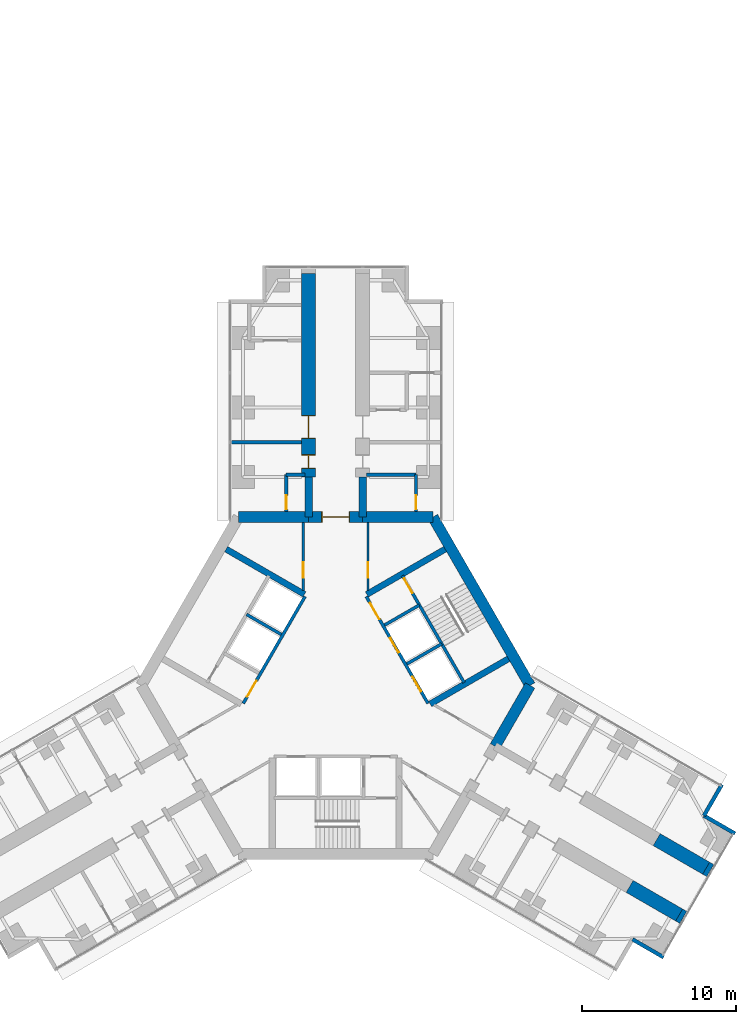
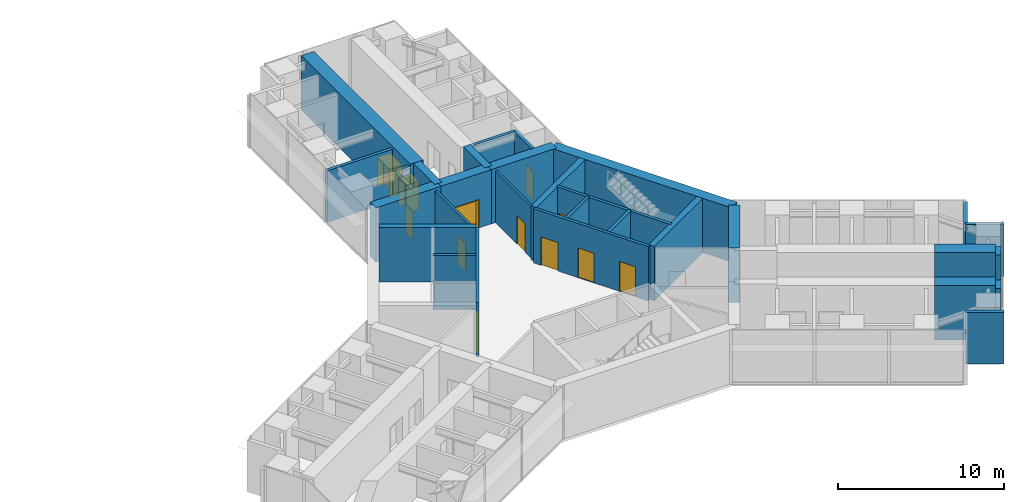
# One storey, part 20 of 22: 31 walls, 12 doors, 12 openings.
"""IFC4 building model written with IfcOpenShell, lengths in metres."""

from ifc_helpers import new_model, si_unit, direction, frame, frame_2d, origin, place, context, subcontext, project, spatial, rectangle, extrude, material, layer, layer_set, type_object, element, fill, save


model = new_model("IFC4")

# Units and contexts
model_context = context("Model", 3, precision=1e-05, world=origin(), true_north=direction((0.0, 1.0)))
body_context = subcontext(model_context, "Body", "Model", "MODEL_VIEW")
ifc_project = project(units=[si_unit("LENGTHUNIT", "METRE"), si_unit("AREAUNIT", "SQUARE_METRE"), si_unit("VOLUMEUNIT", "CUBIC_METRE"), si_unit("PLANEANGLEUNIT", "RADIAN"), si_unit("MASSUNIT", "GRAM", prefix="KILO")], contexts=[model_context])

# Site, building, storey
site_placement = place(None, origin())
site = spatial("IfcSite", under=ifc_project, at=site_placement, CompositionType="ELEMENT")
building_placement = place(site_placement, origin())
building = spatial("IfcBuilding", under=site, at=building_placement, Name="Upepo Twin Towers", CompositionType="ELEMENT")
storey_placement = place(building_placement, frame((0.0, 0.0, 40.5)))
storey = spatial("IfcBuildingStorey", under=building, at=storey_placement, Name="L09", CompositionType="ELEMENT", Elevation=40.5)

# Wall
ifc_material_1 = material(Name="Concrete blockwork, plastered both faces", Category="masonry")
ifc_layer_1 = layer(ifc_material_1, 0.215087890625)
ifc_layer_set_1 = layer_set([ifc_layer_1], Name="Blockwork partition 215")
wall_type_1 = type_object("IfcWallType", Name="Blockwork partition 215", PredefinedType="PARTITIONING", material=ifc_layer_set_1)
wall_1_placement = place(storey_placement, frame((56.300048828125, -2.25, 0.0), z_axis=(0.0, 0.0, 1.0), x_axis=(-1.0, 0.0, 0.0)))
element("IfcWall", 1, at=wall_1_placement, inside=storey, type_object=wall_type_1, Name="T2 partition AL at 15.75", PredefinedType="PARTITIONING", context=body_context, shape_type="SweptSolid", body=[
    extrude(rectangle(XDim=4.550048828125, YDim=0.215087890625, at=frame_2d((2.27490234375, 0.0))), origin(), (0.0, 0.0, 1.0), 3.800048828125),
])

# Wall, opening, door
wall_2_placement = place(storey_placement, frame((55.300048828125, -6.741943359375, 0.0), z_axis=(0.0, 0.0, 1.0), x_axis=(0.0, 1.0, 0.0)))
wall_2 = element("IfcWall", 2, at=wall_2_placement, inside=storey, type_object=wall_type_1, Name="T2 WC bay partition AL at 11.26", PredefinedType="PARTITIONING", context=body_context, shape_type="SweptSolid", body=[
    extrude(rectangle(XDim=2.39990234375, YDim=0.215087890625, at=frame_2d((1.199951171875, 0.0))), origin(), (0.0, 0.0, 1.0), 3.800048828125),
])
opening_1_placement = place(wall_2_placement, frame((0.14990234375, 0.0, 0.0)))
opening_1 = element("IfcOpeningElement", 3, at=opening_1_placement, cuts=wall_2, Name="Opening D14", PredefinedType="OPENING", context=body_context, shape_type="SweptSolid", body=[
    extrude(rectangle(XDim=0.89990234375, YDim=2.10009765625, at=frame_2d((0.449951171875, 1.050048828125))), frame((0.0, 0.117431640625, 0.0), z_axis=(0.0, -1.0, 0.0), x_axis=(1.0, 0.0, 0.0)), (0.0, 0.0, 1.0), 0.235107421875),
])
ifc_material_2 = material(Name="Timber doorset", Category="wood")
door_type_1 = type_object("IfcDoorType", Name="Office door 900 FD30", OperationType="SINGLE_SWING_LEFT", PredefinedType="DOOR", material=ifc_material_2)
door_1_placement = place(opening_1_placement, origin())
door_1 = element("IfcDoor", 4, at=door_1_placement, inside=storey, type_object=door_type_1, Name="T2 L09 WC bay inner room door", OperationType="SINGLE_SWING_LEFT", OverallHeight=2.10009765625, OverallWidth=0.89990234375, PredefinedType="DOOR", context=body_context, shape_type="SweptSolid", body=[
    extrude(rectangle(XDim=0.89990234375, YDim=2.10009765625, at=frame_2d((0.449951171875, 1.050048828125))), frame((0.0, 0.02490234375, 0.0), z_axis=(0.0, -1.0, 0.0), x_axis=(1.0, 0.0, 0.0)), (0.0, 0.0, 1.0), 0.050048828125),
])
fill(opening_1, door_1)

# Wall
wall_3_placement = place(storey_placement, frame((56.5, -4.342041015625, 0.0), z_axis=(0.0, 0.0, 1.0), x_axis=(-1.0, 0.0, 0.0)))
element("IfcWall", 5, at=wall_3_placement, inside=storey, type_object=wall_type_1, Name="T2 WC bay partition AL end at 13.66", PredefinedType="PARTITIONING", context=body_context, shape_type="SweptSolid", body=[
    extrude(rectangle(XDim=1.199951171875, YDim=0.215087890625, at=frame_2d((0.60009765625, 0.0))), origin(), (0.0, 0.0, 1.0), 3.800048828125),
])

# Wall, opening, door
wall_4_placement = place(storey_placement, frame((63.699951171875, -6.741943359375, 0.0), z_axis=(0.0, 0.0, 1.0), x_axis=(0.0, 1.0, 0.0)))
wall_4 = element("IfcWall", 6, at=wall_4_placement, inside=storey, type_object=wall_type_1, Name="T2 WC bay partition AR at 11.26", PredefinedType="PARTITIONING", context=body_context, shape_type="SweptSolid", body=[
    extrude(rectangle(XDim=2.39990234375, YDim=0.215087890625, at=frame_2d((1.199951171875, 0.0))), origin(), (0.0, 0.0, 1.0), 3.800048828125),
])
opening_2_placement = place(wall_4_placement, frame((0.14990234375, 0.0, 0.0)))
opening_2 = element("IfcOpeningElement", 7, at=opening_2_placement, cuts=wall_4, Name="Opening D14", PredefinedType="OPENING", context=body_context, shape_type="SweptSolid", body=[
    extrude(rectangle(XDim=0.89990234375, YDim=2.10009765625, at=frame_2d((0.449951171875, 1.050048828125))), frame((0.0, 0.117431640625, 0.0), z_axis=(0.0, -1.0, 0.0), x_axis=(1.0, 0.0, 0.0)), (0.0, 0.0, 1.0), 0.235107421875),
])
door_2_placement = place(opening_2_placement, origin())
door_2 = element("IfcDoor", 8, at=door_2_placement, inside=storey, type_object=door_type_1, Name="T2 L09 WC bay inner room door", OperationType="SINGLE_SWING_LEFT", OverallHeight=2.10009765625, OverallWidth=0.89990234375, PredefinedType="DOOR", context=body_context, shape_type="SweptSolid", body=[
    extrude(rectangle(XDim=0.89990234375, YDim=2.10009765625, at=frame_2d((0.449951171875, 1.050048828125))), frame((0.0, 0.02490234375, 0.0), z_axis=(0.0, -1.0, 0.0), x_axis=(1.0, 0.0, 0.0)), (0.0, 0.0, 1.0), 0.050048828125),
])
fill(opening_2, door_2)

# Walls
wall_5_placement = place(storey_placement, frame((60.5, -4.342041015625, 0.0), z_axis=(0.0, 0.0, 1.0), x_axis=(1.0, 0.0, 0.0)))
element("IfcWall", 9, at=wall_5_placement, inside=storey, type_object=wall_type_1, Name="T2 WC bay partition AR end at 13.66", PredefinedType="PARTITIONING", context=body_context, shape_type="SweptSolid", body=[
    extrude(rectangle(XDim=3.199951171875, YDim=0.215087890625, at=frame_2d((1.60009765625, 0.0))), origin(), (0.0, 0.0, 1.0), 3.800048828125),
])
ifc_material_3 = material(Name="Dense concrete blockwork", Category="masonry")
ifc_layer_2 = layer(ifc_material_3, 0.89990234375)
ifc_layer_set_2 = layer_set([ifc_layer_2], Name="Buttress closer 900, blockwork with fire-stopping to the curtain wall")
wall_type_2 = type_object("IfcWallType", Name="Buttress closer 900, blockwork with fire-stopping to the curtain wall", PredefinedType="PARTITIONING", material=ifc_layer_set_2)
for number, where, z_axis, x_axis, name in (
    (10, (82.497802734375, -29.83447265625, 0.0), (0.0, 0.0, 1.0), (0.866054481515, -0.499949632511, 0.0), "T2 L09 wing C buttress closer L"),
    (11, (80.747802734375, -32.865478515625, 0.0), (0.0, 0.0, 1.0), (0.866054481515, -0.499949632511, 0.0), "T2 L09 wing C buttress closer R"),
):
    element("IfcWall", number, at=place(storey_placement, frame(where, z_axis=z_axis, x_axis=x_axis)), inside=storey, type_object=wall_type_2, Name=name, PredefinedType="PARTITIONING", context=body_context, shape_type="SweptSolid", body=[
        extrude(rectangle(XDim=0.31005859375, YDim=0.89990234375, at=frame_2d((0.155029296875, 0.0))), origin(), (0.0, 0.0, 1.0), 3.800048828125),
    ])
ifc_material_4 = material(Name="Concrete C60/75", Category="concrete")
ifc_layer_3 = layer(ifc_material_4, 0.5)
ifc_layer_set_3 = layer_set([ifc_layer_3], Name="Concrete C60/75")
wall_type_3 = type_object("IfcWallType", Name="Buttress wall 500 RC", PredefinedType="SHEAR", material=ifc_layer_set_3)
for number, where, z_axis, x_axis, name in (
    (12, (56.75, -7.091552734375, 0.0), (0.0, 0.0, 1.0), (0.0, 1.0, 0.0), "T2 wing A buttress wall L"),
    (13, (60.25, -7.091552734375, 0.0), (0.0, 0.0, 1.0), (0.0, 1.0, 0.0), "T2 wing A buttress wall R"),
):
    element("IfcWall", number, at=place(storey_placement, frame(where, z_axis=z_axis, x_axis=x_axis)), inside=storey, type_object=wall_type_3, Name=name, PredefinedType="SHEAR", context=body_context, shape_type="SweptSolid", body=[
        extrude(rectangle(XDim=2.591552734375, YDim=0.5, at=frame_2d((1.2958984375, 0.0))), origin(), (0.0, 0.0, 1.0), 4.0),
    ])

# Wall, openings, doors
ifc_material_5 = material(Name="Concrete C60/75", Category="concrete")
ifc_layer_4 = layer(ifc_material_5, 0.89990234375)
ifc_layer_set_4 = layer_set([ifc_layer_4], Name="Concrete C60/75")
wall_type_4 = type_object("IfcWallType", Name="Buttress wall 900 RC", PredefinedType="SHEAR", material=ifc_layer_set_4)
wall_6_placement = place(storey_placement, frame((56.75, -4.5, 0.0), z_axis=(0.0, 0.0, 1.0), x_axis=(0.0, 1.0, 0.0)))
wall_6 = element("IfcWall", 14, at=wall_6_placement, inside=storey, type_object=wall_type_4, Name="T2 wing A buttress wall L part 2", PredefinedType="SHEAR", context=body_context, shape_type="SweptSolid", body=[
    extrude(rectangle(XDim=13.199951171875, YDim=0.89990234375, at=frame_2d((6.60009765625, 0.0))), origin(), (0.0, 0.0, 1.0), 4.0),
])
opening_3_placement = place(wall_6_placement, frame((0.550048828125, 0.0, 0.0)))
opening_3 = element("IfcOpeningElement", 15, at=opening_3_placement, cuts=wall_6, Name="Opening D11", PredefinedType="OPENING", context=body_context, shape_type="SweptSolid", body=[
    extrude(rectangle(XDim=0.89990234375, YDim=2.10009765625, at=frame_2d((0.449951171875, 1.050048828125))), frame((0.0, 0.4599609375, 0.0), z_axis=(0.0, -1.0, 0.0), x_axis=(1.0, 0.0, 0.0)), (0.0, 0.0, 1.0), 0.919921875),
])
opening_4_placement = place(wall_6_placement, frame((2.5, 0.0, 0.0)))
opening_4 = element("IfcOpeningElement", 16, at=opening_4_placement, cuts=wall_6, Name="Opening D13", PredefinedType="OPENING", context=body_context, shape_type="SweptSolid", body=[
    extrude(rectangle(XDim=1.5, YDim=2.10009765625, at=frame_2d((0.75, 1.050048828125))), frame((0.0, 0.4599609375, 0.0), z_axis=(0.0, -1.0, 0.0), x_axis=(1.0, 0.0, 0.0)), (0.0, 0.0, 1.0), 0.919921875),
])
ifc_material_6 = material(Name="Timber doorset", Category="wood")
door_type_2 = type_object("IfcDoorType", Name="Double door 1500 FD30", OperationType="DOUBLE_DOOR_SINGLE_SWING", PredefinedType="DOOR", material=ifc_material_6)
door_3_placement = place(opening_4_placement, origin())
door_3 = element("IfcDoor", 17, at=door_3_placement, inside=storey, type_object=door_type_2, Name="T2 L09 lecture room door", OperationType="DOUBLE_DOOR_SINGLE_SWING", OverallHeight=2.10009765625, OverallWidth=1.5, PredefinedType="DOOR", context=body_context, shape_type="SweptSolid", body=[
    extrude(rectangle(XDim=1.42, YDim=2.06009765625, at=frame_2d((0.75, 1.030029296875))), frame((0.0, 0.02490234375, 0.0), z_axis=(0.0, -1.0, 0.0), x_axis=(1.0, 0.0, 0.0)), (0.0, 0.0, 1.0), 0.050048828125),
    extrude(rectangle(XDim=0.04, YDim=2.10009765625, at=frame_2d((0.02001953125, 1.050048828125))), frame((0.0, 0.44970703125, 0.0), z_axis=(0.0, -1.0, 0.0), x_axis=(1.0, 0.0, 0.0)), (0.0, 0.0, 1.0), 0.8994140625),
    extrude(rectangle(XDim=0.04, YDim=2.10009765625, at=frame_2d((1.47998046875, 1.050048828125))), frame((0.0, 0.44970703125, 0.0), z_axis=(0.0, -1.0, 0.0), x_axis=(1.0, 0.0, 0.0)), (0.0, 0.0, 1.0), 0.8994140625),
    extrude(rectangle(XDim=1.42, YDim=0.04, at=frame_2d((0.75, 2.080078125))), frame((0.0, 0.44970703125, 0.0), z_axis=(0.0, -1.0, 0.0), x_axis=(1.0, 0.0, 0.0)), (0.0, 0.0, 1.0), 0.8994140625),
])
fill(opening_4, door_3)
ifc_material_7 = material(Name="Timber doorset", Category="wood")
door_type_3 = type_object("IfcDoorType", Name="Toilet door 900", OperationType="SINGLE_SWING_LEFT", PredefinedType="DOOR", material=ifc_material_7)
door_4_placement = place(opening_3_placement, origin())
door_4 = element("IfcDoor", 18, at=door_4_placement, inside=storey, type_object=door_type_3, Name="T2 L09 toilets door", OperationType="SINGLE_SWING_LEFT", OverallHeight=2.10009765625, OverallWidth=0.89990234375, PredefinedType="DOOR", context=body_context, shape_type="SweptSolid", body=[
    extrude(rectangle(XDim=0.81990234375, YDim=2.06009765625, at=frame_2d((0.449951171875, 1.030029296875))), frame((0.0, 0.02490234375, 0.0), z_axis=(0.0, -1.0, 0.0), x_axis=(1.0, 0.0, 0.0)), (0.0, 0.0, 1.0), 0.050048828125),
    extrude(rectangle(XDim=0.04, YDim=2.10009765625, at=frame_2d((0.02001953125, 1.050048828125))), frame((0.0, 0.44970703125, 0.0), z_axis=(0.0, -1.0, 0.0), x_axis=(1.0, 0.0, 0.0)), (0.0, 0.0, 1.0), 0.8994140625),
    extrude(rectangle(XDim=0.04, YDim=2.10009765625, at=frame_2d((0.8798828125, 1.050048828125))), frame((0.0, 0.44970703125, 0.0), z_axis=(0.0, -1.0, 0.0), x_axis=(1.0, 0.0, 0.0)), (0.0, 0.0, 1.0), 0.8994140625),
    extrude(rectangle(XDim=0.81990234375, YDim=0.04, at=frame_2d((0.449951171875, 2.080078125))), frame((0.0, 0.44970703125, 0.0), z_axis=(0.0, -1.0, 0.0), x_axis=(1.0, 0.0, 0.0)), (0.0, 0.0, 1.0), 0.8994140625),
])
fill(opening_3, door_4)

# Walls
wall_7_placement = place(storey_placement, frame((79.293701171875, -27.984375, 0.0), z_axis=(0.0, 0.0, 1.0), x_axis=(0.866000971088, -0.500042316284, 0.0)))
element("IfcWall", 19, at=wall_7_placement, inside=storey, type_object=wall_type_4, Name="T2 wing C buttress wall L part 3", PredefinedType="SHEAR", context=body_context, shape_type="SweptSolid", body=[
    extrude(rectangle(XDim=3.699951171875, YDim=0.89990234375, at=frame_2d((1.85009765625, 0.0))), origin(), (0.0, 0.0, 1.0), 4.0),
])
wall_8_placement = place(storey_placement, frame((77.543701171875, -31.015625, 0.0), z_axis=(0.0, 0.0, 1.0), x_axis=(0.866029545028, -0.499992827086, 0.0)))
element("IfcWall", 20, at=wall_8_placement, inside=storey, type_object=wall_type_4, Name="T2 wing C buttress wall R part 3", PredefinedType="SHEAR", context=body_context, shape_type="SweptSolid", body=[
    extrude(rectangle(XDim=3.69970703125, YDim=0.89990234375, at=frame_2d((1.849853515625, 0.0))), origin(), (0.0, 0.0, 1.0), 4.0),
])
ifc_material_8 = material(Name="Concrete C60/75", Category="concrete")
ifc_layer_5 = layer(ifc_material_8, 0.699951171875)
ifc_layer_set_5 = layer_set([ifc_layer_5], Name="Concrete C60/75")
wall_type_5 = type_object("IfcWallType", Name="Core wall 700 RC", PredefinedType="SHEAR", material=ifc_layer_set_5)
wall_9_placement = place(storey_placement, frame((64.7978515625, -7.091552734375, 0.0), z_axis=(0.0, 0.0, 1.0), x_axis=(-1.0, 0.0, 0.0)))
element("IfcWall", 21, at=wall_9_placement, inside=storey, type_object=wall_type_5, Name="T2 core wall 000 R", PredefinedType="SHEAR", context=body_context, shape_type="SweptSolid", body=[
    extrude(rectangle(XDim=4.5478515625, YDim=0.699951171875, at=frame_2d((2.27392578125, 0.0))), origin(), (0.0, 0.0, 1.0), 4.0),
])

# Wall, opening, door
wall_10_placement = place(storey_placement, frame((60.25, -7.091552734375, 0.0), z_axis=(0.0, 0.0, 1.0), x_axis=(-1.0, 0.0, 0.0)))
wall_10 = element("IfcWall", 22, at=wall_10_placement, inside=storey, type_object=wall_type_5, Name="T2 core wall 000", PredefinedType="SHEAR", context=body_context, shape_type="SweptSolid", body=[
    extrude(rectangle(XDim=3.5, YDim=0.699951171875, at=frame_2d((1.75, 0.0))), origin(), (0.0, 0.0, 1.0), 4.0),
])
opening_5_placement = place(wall_10_placement, frame((0.85009765625, 0.0, 0.0)))
opening_5 = element("IfcOpeningElement", 23, at=opening_5_placement, cuts=wall_10, Name="Opening D2", PredefinedType="OPENING", context=body_context, shape_type="SweptSolid", body=[
    extrude(rectangle(XDim=1.800048828125, YDim=2.10009765625, at=frame_2d((0.89990234375, 1.050048828125))), frame((0.0, 0.35986328125, 0.0), z_axis=(0.0, -1.0, 0.0), x_axis=(1.0, 0.0, 0.0)), (0.0, 0.0, 1.0), 0.719970703125),
])
ifc_material_9 = material(Name="Timber doorset", Category="wood")
door_type_4 = type_object("IfcDoorType", Name="Corridor double door 1800 FD60", OperationType="DOUBLE_DOOR_DOUBLE_SWING", PredefinedType="DOOR", material=ifc_material_9)
door_5_placement = place(opening_5_placement, origin())
door_5 = element("IfcDoor", 24, at=door_5_placement, inside=storey, type_object=door_type_4, Name="T2 L09 wing A corridor door", OperationType="DOUBLE_DOOR_DOUBLE_SWING", OverallHeight=2.10009765625, OverallWidth=1.800048828125, PredefinedType="DOOR", context=body_context, shape_type="SweptSolid", body=[
    extrude(rectangle(XDim=1.720048828125, YDim=2.06009765625, at=frame_2d((0.89990234375, 1.030029296875))), frame((0.0, 0.02490234375, 0.0), z_axis=(0.0, -1.0, 0.0), x_axis=(1.0, 0.0, 0.0)), (0.0, 0.0, 1.0), 0.050048828125),
    extrude(rectangle(XDim=0.04, YDim=2.10009765625, at=frame_2d((0.02001953125, 1.050048828125))), frame((0.0, 0.349609375, 0.0), z_axis=(0.0, -1.0, 0.0), x_axis=(1.0, 0.0, 0.0)), (0.0, 0.0, 1.0), 0.699462890625),
    extrude(rectangle(XDim=0.04, YDim=2.10009765625, at=frame_2d((1.780029296875, 1.050048828125))), frame((0.0, 0.349609375, 0.0), z_axis=(0.0, -1.0, 0.0), x_axis=(1.0, 0.0, 0.0)), (0.0, 0.0, 1.0), 0.699462890625),
    extrude(rectangle(XDim=1.720048828125, YDim=0.04, at=frame_2d((0.89990234375, 2.080078125))), frame((0.0, 0.349609375, 0.0), z_axis=(0.0, -1.0, 0.0), x_axis=(1.0, 0.0, 0.0)), (0.0, 0.0, 1.0), 0.699462890625),
])
fill(opening_5, door_5)

# Walls
wall_11_placement = place(storey_placement, frame((56.75, -7.091552734375, 0.0), z_axis=(0.0, 0.0, 1.0), x_axis=(-1.0, 0.0, 0.0)))
element("IfcWall", 25, at=wall_11_placement, inside=storey, type_object=wall_type_5, Name="T2 core wall 000 L", PredefinedType="SHEAR", context=body_context, shape_type="SweptSolid", body=[
    extrude(rectangle(XDim=4.5478515625, YDim=0.699951171875, at=frame_2d((2.27392578125, 0.0))), origin(), (0.0, 0.0, 1.0), 4.0),
])
wall_12_placement = place(storey_placement, frame((68.82177734375, -21.938720703125, 0.0), z_axis=(0.0, 0.0, 1.0), x_axis=(0.500024481964, 0.866011268655, 0.0)))
element("IfcWall", 26, at=wall_12_placement, inside=storey, type_object=wall_type_5, Name="T2 core wall 240 L", PredefinedType="SHEAR", context=body_context, shape_type="SweptSolid", body=[
    extrude(rectangle(XDim=4.548095703125, YDim=0.699951171875, at=frame_2d((2.27392578125, 0.0))), origin(), (0.0, 0.0, 1.0), 4.0),
])
wall_13_placement = place(storey_placement, frame((71.095947265625, -18.0, 0.0), z_axis=(0.0, 0.0, 1.0), x_axis=(-0.500005998175, 0.866021940709, 0.0)))
element("IfcWall", 27, at=wall_13_placement, inside=storey, type_object=wall_type_5, Name="T2 core wall 300", PredefinedType="SHEAR", context=body_context, shape_type="SweptSolid", body=[
    extrude(rectangle(XDim=12.595947265625, YDim=0.699951171875, at=frame_2d((6.2978515625, 0.0))), origin(), (0.0, 0.0, 1.0), 4.0),
])
ifc_material_10 = material(Name="Blockwork with anodised aluminium cladding", Category="masonry")
ifc_layer_6 = layer(ifc_material_10, 0.25)
ifc_layer_set_6 = layer_set([ifc_layer_6], Name="Notch cladding wall 250, pale metal")
wall_type_6 = type_object("IfcWallType", Name="Notch cladding wall 250, pale metal", PredefinedType="STANDARD", material=ifc_layer_set_6)
for number, where, z_axis, x_axis, name in (
    (28, (83.517333984375, -24.418701171875, 0.0), (0.0, 0.0, 1.0), (-0.499967891604, -0.866043940782, 0.0), "T2 L09 wing C notch wall L1"),
    (29, (82.35498046875, -26.43212890625, 0.0), (0.0, 0.0, 1.0), (0.865998469481, -0.500046648681, 0.0), "T2 L09 wing C notch wall L2"),
    (30, (77.72998046875, -34.44287109375, 0.0), (0.0, 0.0, 1.0), (0.865998469481, -0.500046648681, 0.0), "T2 L09 wing C notch wall R2"),
):
    element("IfcWall", number, at=place(storey_placement, frame(where, z_axis=z_axis, x_axis=x_axis)), inside=storey, type_object=wall_type_6, Name=name, PredefinedType="STANDARD", context=body_context, shape_type="SweptSolid", body=[
        extrude(rectangle(XDim=2.324951171875, YDim=0.25, at=frame_2d((1.16259765625, 0.0))), origin(), (0.0, 0.0, 1.0), 3.800048828125),
    ])

# Wall, opening, door
ifc_material_11 = material(Name="Concrete C40/50", Category="concrete")
ifc_layer_7 = layer(ifc_material_11, 0.199951171875)
ifc_layer_set_7 = layer_set([ifc_layer_7], Name="Concrete C40/50")
wall_type_7 = type_object("IfcWallType", Name="Shaft wall 200 RC", PredefinedType="SHEAR", material=ifc_layer_set_7)
wall_14_placement = place(storey_placement, frame((56.516357421875, -12.23583984375, 0.0), z_axis=(0.0, 0.0, 1.0), x_axis=(-0.49999894854, -0.866026010844, 0.0)))
wall_14 = element("IfcWall", 31, at=wall_14_placement, inside=storey, type_object=wall_type_7, Name="T2 core W60 front wall", PredefinedType="SHEAR", context=body_context, shape_type="SweptSolid", body=[
    extrude(rectangle(XDim=8.0, YDim=0.199951171875, at=frame_2d((4.0, 0.0))), origin(), (0.0, 0.0, 1.0), 4.0),
])
opening_6_placement = place(wall_14_placement, frame((6.300048828125, 0.0, 0.0)))
opening_6 = element("IfcOpeningElement", 32, at=opening_6_placement, cuts=wall_14, Name="Opening D4", PredefinedType="OPENING", context=body_context, shape_type="SweptSolid", body=[
    extrude(rectangle(XDim=1.199951171875, YDim=2.10009765625, at=frame_2d((0.60009765625, 1.050048828125))), frame((0.0, 0.10986328125, 0.0), z_axis=(0.0, -1.0, 0.0), x_axis=(1.0, 0.0, 0.0)), (0.0, 0.0, 1.0), 0.219970703125),
])
ifc_material_12 = material(Name="Timber doorset", Category="wood")
door_type_5 = type_object("IfcDoorType", Name="Lobby door 1200 FD60", OperationType="SINGLE_SWING_LEFT", PredefinedType="DOOR", material=ifc_material_12)
door_6_placement = place(opening_6_placement, origin())
door_6 = element("IfcDoor", 33, at=door_6_placement, inside=storey, type_object=door_type_5, Name="T2 L09 W60 lobby door", OperationType="SINGLE_SWING_RIGHT", OverallHeight=2.10009765625, OverallWidth=1.199951171875, PredefinedType="DOOR", context=body_context, shape_type="SweptSolid", body=[
    extrude(rectangle(XDim=1.199951171875, YDim=2.10009765625, at=frame_2d((0.60009765625, 1.050048828125))), frame((0.0, 0.02490234375, 0.0), z_axis=(0.0, -1.0, 0.0), x_axis=(1.0, 0.0, 0.0)), (0.0, 0.0, 1.0), 0.050048828125),
])
fill(opening_6, door_6)

# Wall
wall_15_placement = place(storey_placement, frame((54.979736328125, -14.697265625, 0.0), z_axis=(0.0, 0.0, 1.0), x_axis=(-0.866062058628, 0.499936506574, 0.0)))
element("IfcWall", 34, at=wall_15_placement, inside=storey, type_object=wall_type_7, Name="T2 core W60 shaft divider", PredefinedType="SHEAR", context=body_context, shape_type="SweptSolid", body=[
    extrude(rectangle(XDim=2.599853515625, YDim=0.199951171875, at=frame_2d((1.2998046875, 0.0))), origin(), (0.0, 0.0, 1.0), 4.0),
])

# Wall, openings, doors
wall_16_placement = place(storey_placement, frame((64.483642578125, -19.1640625, 0.0), z_axis=(0.0, 0.0, 1.0), x_axis=(-0.49999894854, 0.866026010844, 0.0)))
wall_16 = element("IfcWall", 35, at=wall_16_placement, inside=storey, type_object=wall_type_7, Name="T2 core W300 front wall", PredefinedType="SHEAR", context=body_context, shape_type="SweptSolid", body=[
    extrude(rectangle(XDim=8.0, YDim=0.199951171875, at=frame_2d((4.0, 0.0))), origin(), (0.0, 0.0, 1.0), 4.0),
])
opening_7_placement = place(wall_16_placement, frame((6.300048828125, 0.0, 0.0)))
opening_7 = element("IfcOpeningElement", 36, at=opening_7_placement, cuts=wall_16, Name="Opening D4", PredefinedType="OPENING", context=body_context, shape_type="SweptSolid", body=[
    extrude(rectangle(XDim=1.199951171875, YDim=2.10009765625, at=frame_2d((0.60009765625, 1.050048828125))), frame((0.0, 0.10986328125, 0.0), z_axis=(0.0, -1.0, 0.0), x_axis=(1.0, 0.0, 0.0)), (0.0, 0.0, 1.0), 0.219970703125),
])
opening_8_placement = place(wall_16_placement, frame((0.89990234375, 0.0, 0.0)))
opening_8 = element("IfcOpeningElement", 37, at=opening_8_placement, cuts=wall_16, Name="Opening LD1", PredefinedType="OPENING", context=body_context, shape_type="SweptSolid", body=[
    extrude(rectangle(XDim=1.10009765625, YDim=2.199951171875, at=frame_2d((0.550048828125, 1.10009765625))), frame((0.0, 0.10986328125, 0.0), z_axis=(0.0, -1.0, 0.0), x_axis=(1.0, 0.0, 0.0)), (0.0, 0.0, 1.0), 0.219970703125),
])
opening_9_placement = place(wall_16_placement, frame((3.800048828125, 0.0, 0.0)))
opening_9 = element("IfcOpeningElement", 38, at=opening_9_placement, cuts=wall_16, Name="Opening LD1", PredefinedType="OPENING", context=body_context, shape_type="SweptSolid", body=[
    extrude(rectangle(XDim=1.10009765625, YDim=2.199951171875, at=frame_2d((0.550048828125, 1.10009765625))), frame((0.0, 0.10986328125, 0.0), z_axis=(0.0, -1.0, 0.0), x_axis=(1.0, 0.0, 0.0)), (0.0, 0.0, 1.0), 0.219970703125),
])
ifc_material_13 = material(Name="Steel doorset", Category="steel")
door_type_6 = type_object("IfcDoorType", Name="Lift landing door 1100", OperationType="DOUBLE_DOOR_SLIDING", PredefinedType="DOOR", material=ifc_material_13)
door_7_placement = place(opening_8_placement, origin())
door_7 = element("IfcDoor", 39, at=door_7_placement, inside=storey, type_object=door_type_6, Name="T2 L09 lift LL1 landing door", OperationType="DOUBLE_DOOR_SLIDING", OverallHeight=2.199951171875, OverallWidth=1.10009765625, PredefinedType="DOOR", context=body_context, shape_type="SweptSolid", body=[
    extrude(rectangle(XDim=1.10009765625, YDim=2.199951171875, at=frame_2d((0.550048828125, 1.10009765625))), frame((0.0, 0.02490234375, 0.0), z_axis=(0.0, -1.0, 0.0), x_axis=(1.0, 0.0, 0.0)), (0.0, 0.0, 1.0), 0.050048828125),
])
fill(opening_8, door_7)
door_8_placement = place(opening_9_placement, origin())
door_8 = element("IfcDoor", 40, at=door_8_placement, inside=storey, type_object=door_type_6, Name="T2 L09 lift LL2 landing door", OperationType="DOUBLE_DOOR_SLIDING", OverallHeight=2.199951171875, OverallWidth=1.10009765625, PredefinedType="DOOR", context=body_context, shape_type="SweptSolid", body=[
    extrude(rectangle(XDim=1.10009765625, YDim=2.199951171875, at=frame_2d((0.550048828125, 1.10009765625))), frame((0.0, 0.02490234375, 0.0), z_axis=(0.0, -1.0, 0.0), x_axis=(1.0, 0.0, 0.0)), (0.0, 0.0, 1.0), 0.050048828125),
])
fill(opening_9, door_8)
door_9_placement = place(opening_7_placement, origin())
door_9 = element("IfcDoor", 41, at=door_9_placement, inside=storey, type_object=door_type_5, Name="T2 L09 W300 lobby door", OperationType="SINGLE_SWING_RIGHT", OverallHeight=2.10009765625, OverallWidth=1.199951171875, PredefinedType="DOOR", context=body_context, shape_type="SweptSolid", body=[
    extrude(rectangle(XDim=1.199951171875, YDim=2.10009765625, at=frame_2d((0.60009765625, 1.050048828125))), frame((0.0, 0.02490234375, 0.0), z_axis=(0.0, -1.0, 0.0), x_axis=(1.0, 0.0, 0.0)), (0.0, 0.0, 1.0), 0.050048828125),
])
fill(opening_7, door_9)

# Walls
wall_17_placement = place(storey_placement, frame((63.120361328125, -16.6025390625, 0.0), z_axis=(0.0, 0.0, 1.0), x_axis=(0.866062058628, 0.499936506574, 0.0)))
element("IfcWall", 42, at=wall_17_placement, inside=storey, type_object=wall_type_7, Name="T2 core W300 shaft divider", PredefinedType="SHEAR", context=body_context, shape_type="SweptSolid", body=[
    extrude(rectangle(XDim=2.599853515625, YDim=0.199951171875, at=frame_2d((1.2998046875, 0.0))), origin(), (0.0, 0.0, 1.0), 4.0),
])
wall_18_placement = place(storey_placement, frame((61.67041015625, -14.091064453125, 0.0), z_axis=(0.0, 0.0, 1.0), x_axis=(0.86603858612, 0.49997716683, 0.0)))
element("IfcWall", 43, at=wall_18_placement, inside=storey, type_object=wall_type_7, Name="T2 core W300 lobby wall", PredefinedType="SHEAR", context=body_context, shape_type="SweptSolid", body=[
    extrude(rectangle(XDim=2.599609375, YDim=0.199951171875, at=frame_2d((1.2998046875, 0.0))), origin(), (0.0, 0.0, 1.0), 4.0),
])

# Wall, opening, door
wall_19_placement = place(storey_placement, frame((66.822021484375, -17.814208984375, 0.0), z_axis=(0.0, 0.0, 1.0), x_axis=(-0.49999894854, 0.866026010844, 0.0)))
wall_19 = element("IfcWall", 44, at=wall_19_placement, inside=storey, type_object=wall_type_7, Name="T2 core W300 stair wall", PredefinedType="SHEAR", context=body_context, shape_type="SweptSolid", body=[
    extrude(rectangle(XDim=8.0, YDim=0.199951171875, at=frame_2d((4.0, 0.0))), origin(), (0.0, 0.0, 1.0), 4.0),
])
opening_10_placement = place(wall_19_placement, frame((6.699951171875, 0.0, 0.0)))
opening_10 = element("IfcOpeningElement", 45, at=opening_10_placement, cuts=wall_19, Name="Opening D3", PredefinedType="OPENING", context=body_context, shape_type="SweptSolid", body=[
    extrude(rectangle(XDim=1.10009765625, YDim=2.10009765625, at=frame_2d((0.550048828125, 1.050048828125))), frame((0.0, 0.10986328125, 0.0), z_axis=(0.0, -1.0, 0.0), x_axis=(1.0, 0.0, 0.0)), (0.0, 0.0, 1.0), 0.219970703125),
])
ifc_material_14 = material(Name="Timber doorset", Category="wood")
door_type_7 = type_object("IfcDoorType", Name="Stair door 1100 FD60", OperationType="SINGLE_SWING_LEFT", PredefinedType="DOOR", material=ifc_material_14)
door_10_placement = place(opening_10_placement, origin())
door_10 = element("IfcDoor", 46, at=door_10_placement, inside=storey, type_object=door_type_7, Name="T2 L09 stair door", OperationType="SINGLE_SWING_RIGHT", OverallHeight=2.10009765625, OverallWidth=1.10009765625, PredefinedType="DOOR", context=body_context, shape_type="SweptSolid", body=[
    extrude(rectangle(XDim=1.10009765625, YDim=2.10009765625, at=frame_2d((0.550048828125, 1.050048828125))), frame((0.0, 0.02490234375, 0.0), z_axis=(0.0, -1.0, 0.0), x_axis=(1.0, 0.0, 0.0)), (0.0, 0.0, 1.0), 0.050048828125),
])
fill(opening_10, door_10)

# Walls
ifc_material_15 = material(Name="Concrete C40/50", Category="concrete")
ifc_layer_8 = layer(ifc_material_15, 0.39990234375)
ifc_layer_set_8 = layer_set([ifc_layer_8], Name="Concrete C40/50")
wall_type_8 = type_object("IfcWallType", Name="Shaft wall 400 RC", PredefinedType="SHEAR", material=ifc_layer_set_8)
for number, where, z_axis, x_axis, name in (
    (47, (56.479736328125, -12.099365234375, 0.0), (0.0, 0.0, 1.0), (-0.866023886965, 0.500002627198, 0.0), "T2 core W60 side wall S"),
    (48, (60.520263671875, -12.099365234375, 0.0), (0.0, 0.0, 1.0), (0.866023886965, 0.500002627198, 0.0), "T2 core W300 side wall N"),
    (49, (64.620361328125, -19.20068359375, 0.0), (0.0, 0.0, 1.0), (0.866023886965, 0.500002627198, 0.0), "T2 core W300 side wall S"),
):
    element("IfcWall", number, at=place(storey_placement, frame(where, z_axis=z_axis, x_axis=x_axis)), inside=storey, type_object=wall_type_8, Name=name, PredefinedType="SHEAR", context=body_context, shape_type="SweptSolid", body=[
        extrude(rectangle(XDim=5.8583984375, YDim=0.39990234375, at=frame_2d((2.92919921875, 0.0))), origin(), (0.0, 0.0, 1.0), 4.0),
    ])

# Wall, opening, door
ifc_material_16 = material(Name="Gypsum board on steel studs", Category="steel")
ifc_layer_9 = layer(ifc_material_16, 0.14990234375)
ifc_layer_set_9 = layer_set([ifc_layer_9], Name="Teaching partition 150 acoustic")
wall_type_9 = type_object("IfcWallType", Name="Teaching partition 150 acoustic", PredefinedType="PARTITIONING", material=ifc_layer_set_9)
wall_20_placement = place(storey_placement, frame((56.39990234375, -11.857421875, 0.0), z_axis=(0.0, 0.0, 1.0), x_axis=(0.0, 1.0, 0.0)))
wall_20 = element("IfcWall", 50, at=wall_20_placement, inside=storey, type_object=wall_type_9, Name="T2 core room partition 2", PredefinedType="PARTITIONING", context=body_context, shape_type="SweptSolid", body=[
    extrude(rectangle(XDim=4.42578125, YDim=0.14990234375, at=frame_2d((2.212890625, 0.0))), origin(), (0.0, 0.0, 1.0), 3.800048828125),
])
opening_11_placement = place(wall_20_placement, frame((0.82763671875, 0.0, 0.0)))
opening_11 = element("IfcOpeningElement", 51, at=opening_11_placement, cuts=wall_20, Name="Opening D1", PredefinedType="OPENING", context=body_context, shape_type="SweptSolid", body=[
    extrude(rectangle(XDim=1.0, YDim=2.10009765625, at=frame_2d((0.5, 1.050048828125))), frame((0.0, 0.0849609375, 0.0), z_axis=(0.0, -1.0, 0.0), x_axis=(1.0, 0.0, 0.0)), (0.0, 0.0, 1.0), 0.169921875),
])
ifc_material_17 = material(Name="Timber doorset", Category="wood")
door_type_8 = type_object("IfcDoorType", Name="Room door 1000 FD30", OperationType="SINGLE_SWING_LEFT", PredefinedType="DOOR", material=ifc_material_17)
door_11_placement = place(opening_11_placement, origin())
door_11 = element("IfcDoor", 52, at=door_11_placement, inside=storey, type_object=door_type_8, Name="T2 L09 core room door K7", OperationType="SINGLE_SWING_LEFT", OverallHeight=2.10009765625, OverallWidth=1.0, PredefinedType="DOOR", context=body_context, shape_type="SweptSolid", body=[
    extrude(rectangle(XDim=1.0, YDim=2.10009765625, at=frame_2d((0.5, 1.050048828125))), frame((0.0, 0.02490234375, 0.0), z_axis=(0.0, -1.0, 0.0), x_axis=(1.0, 0.0, 0.0)), (0.0, 0.0, 1.0), 0.050048828125),
])
fill(opening_11, door_11)

wall_21_placement = place(storey_placement, frame((60.60009765625, -7.431640625, 0.0), z_axis=(0.0, 0.0, 1.0), x_axis=(0.0, -1.0, 0.0)))
wall_21 = element("IfcWall", 53, at=wall_21_placement, inside=storey, type_object=wall_type_9, Name="T2 core room partition 3", PredefinedType="PARTITIONING", context=body_context, shape_type="SweptSolid", body=[
    extrude(rectangle(XDim=4.42578125, YDim=0.14990234375, at=frame_2d((2.212890625, 0.0))), origin(), (0.0, 0.0, 1.0), 3.800048828125),
])
opening_12_placement = place(wall_21_placement, frame((2.597900390625, 0.0, 0.0)))
opening_12 = element("IfcOpeningElement", 54, at=opening_12_placement, cuts=wall_21, Name="Opening D1", PredefinedType="OPENING", context=body_context, shape_type="SweptSolid", body=[
    extrude(rectangle(XDim=1.0, YDim=2.10009765625, at=frame_2d((0.5, 1.050048828125))), frame((0.0, 0.0849609375, 0.0), z_axis=(0.0, -1.0, 0.0), x_axis=(1.0, 0.0, 0.0)), (0.0, 0.0, 1.0), 0.169921875),
])
door_12_placement = place(opening_12_placement, origin())
door_12 = element("IfcDoor", 55, at=door_12_placement, inside=storey, type_object=door_type_8, Name="T2 L09 core room door K6", OperationType="SINGLE_SWING_RIGHT", OverallHeight=2.10009765625, OverallWidth=1.0, PredefinedType="DOOR", context=body_context, shape_type="SweptSolid", body=[
    extrude(rectangle(XDim=1.0, YDim=2.10009765625, at=frame_2d((0.5, 1.050048828125))), frame((0.0, 0.02490234375, 0.0), z_axis=(0.0, -1.0, 0.0), x_axis=(1.0, 0.0, 0.0)), (0.0, 0.0, 1.0), 0.050048828125),
])
fill(opening_12, door_12)

save(model, "model.ifc")
